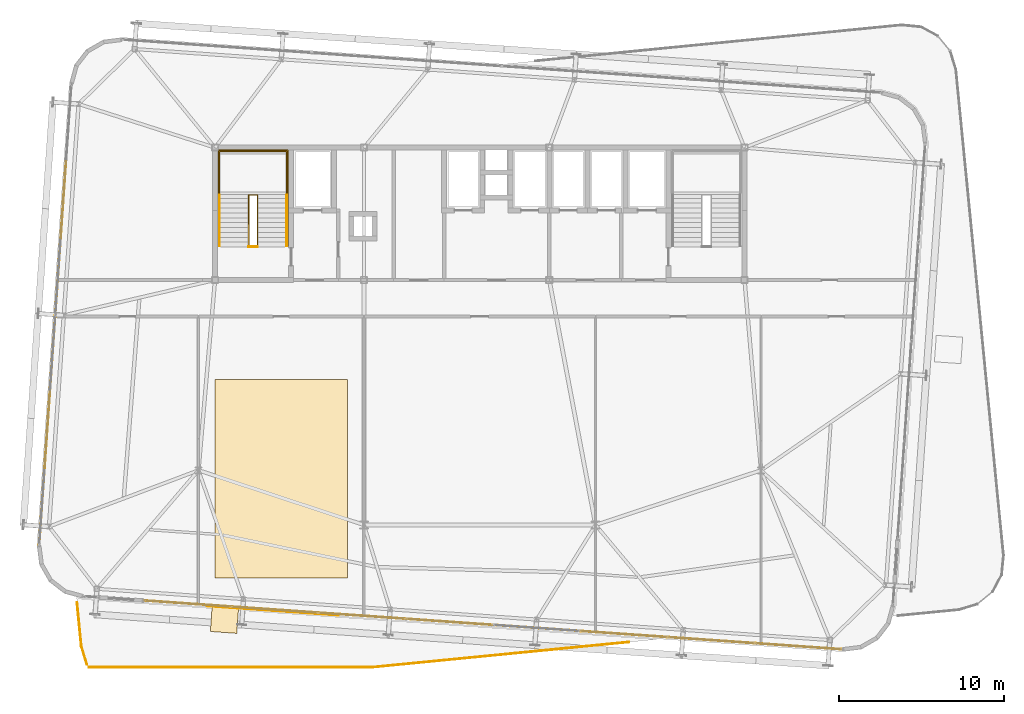
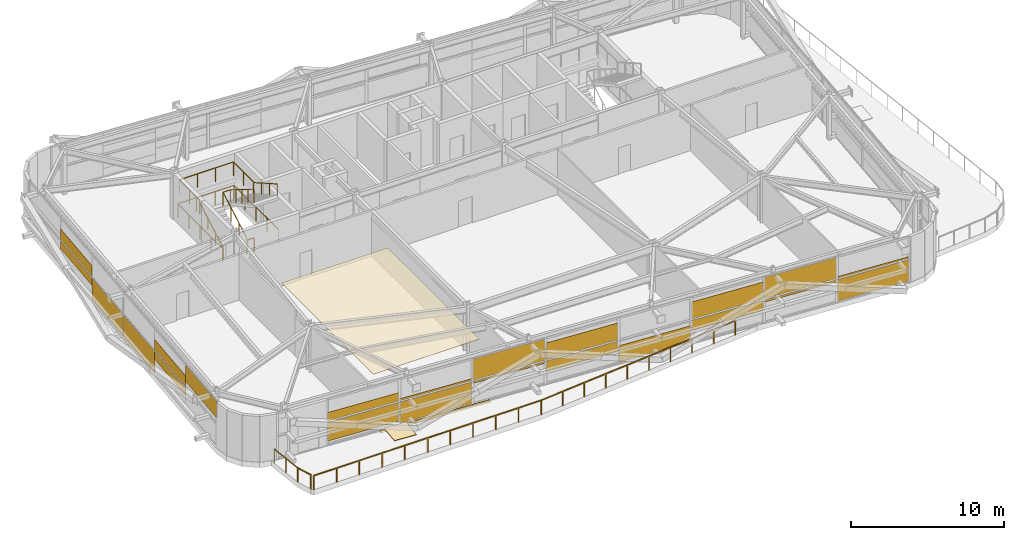
# One storey, part 34 of 36: 25 coverings, 10 railings.
"""IFC4 building model written with IfcOpenShell, lengths in metres."""

from ifc_helpers import new_model, si_unit, direction, frame, origin, origin_2d, place, context, subcontext, project, spatial, rectangle, extrude, source, transform, mapped, material, layer, layer_set, type_object, element, save


model = new_model("IFC4")

# Units and contexts
model_context = context("Model", 3, precision=1e-05, world=origin(), true_north=direction((0.0, 1.0)))
body_context = subcontext(model_context, "Body", "Model", "MODEL_VIEW")
ifc_project = project(units=[si_unit("LENGTHUNIT", "METRE"), si_unit("AREAUNIT", "SQUARE_METRE"), si_unit("VOLUMEUNIT", "CUBIC_METRE"), si_unit("PLANEANGLEUNIT", "RADIAN"), si_unit("MASSUNIT", "GRAM", prefix="KILO")], contexts=[model_context])

# Site, building, storey
site_placement = place(None, origin())
site = spatial("IfcSite", under=ifc_project, at=site_placement, CompositionType="ELEMENT")
building_placement = place(site_placement, origin())
building = spatial("IfcBuilding", under=site, at=building_placement, Name="Taldren Reach Tower", CompositionType="ELEMENT")
storey_placement = place(building_placement, frame((0.0, 0.0, 116.550048828125)))
storey = spatial("IfcBuildingStorey", under=building, at=storey_placement, Name="L35", CompositionType="ELEMENT", Elevation=116.550048828125)

# Railings
ifc_material_1 = material(Name="Steel Gr 350 (C350L0)", Category="steel")
ifc_layer_1 = layer(ifc_material_1, 0.050048828125)
ifc_layer_set_1 = layer_set([ifc_layer_1], Name="Steel Gr 350 (C350L0)")
railing_type_1 = type_object("IfcRailingType", Name="RL-STAIR-GR", PredefinedType="GUARDRAIL", material=ifc_layer_set_1)
railing_1_placement = place(storey_placement, frame((19.260009765625, 29.135009765625, 1.925048828125)))
element("IfcRailing", 1, at=railing_1_placement, inside=storey, type_object=railing_type_1, Name="Stair half-landing perimeter guard ST1-L35", PredefinedType="GUARDRAIL", context=body_context, shape_type="SweptSolid", body=[
    extrude(rectangle(XDim=0.047852, YDim=0.047852, at=origin_2d()), frame((0.0, 0.0, 1.09619140625), z_axis=(0.0, 1.0, 0.0), x_axis=(-1.0, 0.0, 0.0)), (0.0, 0.0, 1.0), 2.64501953125),
    extrude(rectangle(XDim=0.047852, YDim=0.047852, at=origin_2d()), frame((0.0, 2.64501953125, 1.09619140625), z_axis=(1.0, 0.0, 0.0), x_axis=(0.0, 1.0, 0.0)), (0.0, 0.0, 1.0), 4.080078125),
    extrude(rectangle(XDim=0.047852, YDim=0.047852, at=origin_2d()), frame((4.080078125, 2.64501953125, 1.09619140625), z_axis=(0.0, -1.0, 0.0), x_axis=(1.0, 0.0, 0.0)), (0.0, 0.0, 1.0), 2.64501953125),
    extrude(rectangle(XDim=0.041992, YDim=0.041992, at=origin_2d()), origin(), (0.0, 0.0, 1.0), 1.072021484375),
    extrude(rectangle(XDim=0.041992, YDim=0.041992, at=origin_2d()), frame((0.0, 1.322509765625, 0.0)), (0.0, 0.0, 1.0), 1.072021484375),
    extrude(rectangle(XDim=0.041992, YDim=0.041992, at=origin_2d()), frame((0.0, 2.64501953125, 0.0)), (0.0, 0.0, 1.0), 1.072021484375),
    extrude(rectangle(XDim=0.041992, YDim=0.041992, at=origin_2d()), frame((1.360107421875, 2.64501953125, 0.0)), (0.0, 0.0, 1.0), 1.072021484375),
    extrude(rectangle(XDim=0.041992, YDim=0.041992, at=origin_2d()), frame((2.719970703125, 2.64501953125, 0.0)), (0.0, 0.0, 1.0), 1.072021484375),
    extrude(rectangle(XDim=0.041992, YDim=0.041992, at=origin_2d()), frame((4.080078125, 2.64501953125, 0.0)), (0.0, 0.0, 1.0), 1.072021484375),
    extrude(rectangle(XDim=0.041992, YDim=0.041992, at=origin_2d()), frame((4.080078125, 1.322509765625, 0.0)), (0.0, 0.0, 1.0), 1.072021484375),
    extrude(rectangle(XDim=0.041992, YDim=0.041992, at=origin_2d()), frame((4.080078125, 0.0, 0.0)), (0.0, 0.0, 1.0), 1.072021484375),
])
railing_2_placement = place(storey_placement, frame((21.030029296875, 26.050048828125, 0.160400390625)))
element("IfcRailing", 2, at=railing_2_placement, inside=storey, type_object=railing_type_1, Name="Stairwell inner guard ST1-L35", PredefinedType="GUARDRAIL", context=body_context, shape_type="SweptSolid", body=[
    extrude(rectangle(XDim=0.047852, YDim=0.047852, at=origin_2d()), frame((0.0, 0.0, 1.09619140625), z_axis=(0.0, 0.868023234622, 0.496523578652), x_axis=(-1.0, 0.0, 0.0)), (0.0, 0.0, 1.0), 3.553955078125),
    extrude(rectangle(XDim=0.047852, YDim=0.047852, at=origin_2d()), frame((0.0, 3.0849609375, 2.86083984375), z_axis=(1.0, 0.0, 0.0), x_axis=(0.0, 1.0, 0.0)), (0.0, 0.0, 1.0), 0.5400390625),
    extrude(rectangle(XDim=0.047852, YDim=0.047852, at=origin_2d()), frame((0.5400390625, 3.0849609375, 2.86083984375), z_axis=(0.0, -0.848405431508, 0.529346978633), x_axis=(1.0, 0.0, 0.0)), (0.0, 0.0, 1.0), 3.63623046875),
    extrude(rectangle(XDim=0.041992, YDim=0.041992, at=origin_2d()), origin(), (0.0, 0.0, 1.0), 1.072021484375),
    extrude(rectangle(XDim=0.041992, YDim=0.041992, at=origin_2d()), frame((0.0, 1.0283203125, 0.588134765625)), (0.0, 0.0, 1.0), 1.072021484375),
    extrude(rectangle(XDim=0.041992, YDim=0.041992, at=origin_2d()), frame((0.0, 2.056640625, 1.176513671875)), (0.0, 0.0, 1.0), 1.072021484375),
    extrude(rectangle(XDim=0.041992, YDim=0.041992, at=origin_2d()), frame((0.0, 3.0849609375, 1.7646484375)), (0.0, 0.0, 1.0), 1.072021484375),
    extrude(rectangle(XDim=0.041992, YDim=0.041992, at=origin_2d()), frame((0.5400390625, 3.0849609375, 1.7646484375)), (0.0, 0.0, 1.0), 1.072021484375),
    extrude(rectangle(XDim=0.041992, YDim=0.041992, at=origin_2d()), frame((0.5400390625, 2.313720703125, 2.245849609375)), (0.0, 0.0, 1.0), 1.072021484375),
    extrude(rectangle(XDim=0.041992, YDim=0.041992, at=origin_2d()), frame((0.5400390625, 1.54248046875, 2.72705078125)), (0.0, 0.0, 1.0), 1.072021484375),
    extrude(rectangle(XDim=0.041992, YDim=0.041992, at=origin_2d()), frame((0.5400390625, 0.771240234375, 3.208251953125)), (0.0, 0.0, 1.0), 1.072021484375),
    extrude(rectangle(XDim=0.041992, YDim=0.041992, at=origin_2d()), frame((0.5400390625, 0.0, 3.689453125)), (0.0, 0.0, 1.0), 1.072021484375),
])
railing_3_placement = place(storey_placement, frame((21.030029296875, 26.010009765625, 0.0)))
element("IfcRailing", 3, at=railing_3_placement, inside=storey, type_object=railing_type_1, Name="Stairwell landing slot guard ST1-L35", PredefinedType="GUARDRAIL", context=body_context, shape_type="SweptSolid", body=[
    extrude(rectangle(XDim=0.047852, YDim=0.047852, at=origin_2d()), frame((0.0, 0.0, 1.09619140625), z_axis=(1.0, 0.0, 0.0), x_axis=(0.0, 1.0, 0.0)), (0.0, 0.0, 1.0), 0.5400390625),
    extrude(rectangle(XDim=0.041992, YDim=0.041992, at=origin_2d()), origin(), (0.0, 0.0, 1.0), 1.072021484375),
    extrude(rectangle(XDim=0.041992, YDim=0.041992, at=origin_2d()), frame((0.5400390625, 0.0, 0.0)), (0.0, 0.0, 1.0), 1.072021484375),
])
railing_4_placement = place(storey_placement, frame((19.18994140625, 26.050048828125, 0.0)))
element("IfcRailing", 4, at=railing_4_placement, inside=storey, type_object=railing_type_1, Name="Stairwell floor opening guard ST1-L35", PredefinedType="GUARDRAIL", context=body_context, shape_type="SweptSolid", body=[
    extrude(rectangle(XDim=0.047852, YDim=0.047852, at=origin_2d()), frame((0.0, 0.0, 1.09619140625), z_axis=(0.0, 1.0, 0.0), x_axis=(-1.0, 0.0, 0.0)), (0.0, 0.0, 1.0), 5.800048828125),
    extrude(rectangle(XDim=0.047852, YDim=0.047852, at=origin_2d()), frame((0.0, 5.800048828125, 1.09619140625), z_axis=(1.0, 0.0, 0.0), x_axis=(0.0, 1.0, 0.0)), (0.0, 0.0, 1.0), 4.219970703125),
    extrude(rectangle(XDim=0.047852, YDim=0.047852, at=origin_2d()), frame((4.219970703125, 5.800048828125, 1.09619140625), z_axis=(0.0, -1.0, 0.0), x_axis=(1.0, 0.0, 0.0)), (0.0, 0.0, 1.0), 5.800048828125),
    extrude(rectangle(XDim=0.041992, YDim=0.041992, at=origin_2d()), origin(), (0.0, 0.0, 1.0), 1.072021484375),
    extrude(rectangle(XDim=0.041992, YDim=0.041992, at=origin_2d()), frame((0.0, 1.449951171875, 0.0)), (0.0, 0.0, 1.0), 1.072021484375),
    extrude(rectangle(XDim=0.041992, YDim=0.041992, at=origin_2d()), frame((0.0, 2.89990234375, 0.0)), (0.0, 0.0, 1.0), 1.072021484375),
    extrude(rectangle(XDim=0.041992, YDim=0.041992, at=origin_2d()), frame((0.0, 4.35009765625, 0.0)), (0.0, 0.0, 1.0), 1.072021484375),
    extrude(rectangle(XDim=0.041992, YDim=0.041992, at=origin_2d()), frame((0.0, 5.800048828125, 0.0)), (0.0, 0.0, 1.0), 1.072021484375),
    extrude(rectangle(XDim=0.041992, YDim=0.041992, at=origin_2d()), frame((1.40673828125, 5.800048828125, 0.0)), (0.0, 0.0, 1.0), 1.072021484375),
    extrude(rectangle(XDim=0.041992, YDim=0.041992, at=origin_2d()), frame((2.813232421875, 5.800048828125, 0.0)), (0.0, 0.0, 1.0), 1.072021484375),
    extrude(rectangle(XDim=0.041992, YDim=0.041992, at=origin_2d()), frame((4.219970703125, 5.800048828125, 0.0)), (0.0, 0.0, 1.0), 1.072021484375),
    extrude(rectangle(XDim=0.041992, YDim=0.041992, at=origin_2d()), frame((4.219970703125, 4.35009765625, 0.0)), (0.0, 0.0, 1.0), 1.072021484375),
    extrude(rectangle(XDim=0.041992, YDim=0.041992, at=origin_2d()), frame((4.219970703125, 2.89990234375, 0.0)), (0.0, 0.0, 1.0), 1.072021484375),
    extrude(rectangle(XDim=0.041992, YDim=0.041992, at=origin_2d()), frame((4.219970703125, 1.449951171875, 0.0)), (0.0, 0.0, 1.0), 1.072021484375),
    extrude(rectangle(XDim=0.041992, YDim=0.041992, at=origin_2d()), frame((4.219970703125, 0.0, 0.0)), (0.0, 0.0, 1.0), 1.072021484375),
])
ifc_material_2 = material(Name="Stainless Steel Gr 316", Category="steel")
ifc_layer_2 = layer(ifc_material_2, 0.048095703125)
ifc_layer_set_2 = layer_set([ifc_layer_2], Name="Stainless Steel Gr 316")
railing_type_2 = type_object("IfcRailingType", Name="RL-STAIR-HR", PredefinedType="HANDRAIL", material=ifc_layer_set_2)
railing_5_placement = place(storey_placement, frame((19.27001953125, 26.050048828125, 0.160400390625)))
element("IfcRailing", 5, at=railing_5_placement, inside=storey, type_object=railing_type_2, Name="Stair flight handrail ST1-L35-1", PredefinedType="HANDRAIL", context=body_context, shape_type="SweptSolid", body=[
    extrude(rectangle(XDim=0.047852, YDim=0.047852, at=origin_2d()), frame((0.0, 0.0, 0.89599609375), z_axis=(0.0, 0.868023234622, 0.496523578652), x_axis=(-1.0, 0.0, 0.0)), (0.0, 0.0, 1.0), 3.553955078125),
    extrude(rectangle(XDim=0.041992, YDim=0.041992, at=origin_2d()), origin(), (0.0, 0.0, 1.0), 0.871826171875),
    extrude(rectangle(XDim=0.041992, YDim=0.041992, at=origin_2d()), frame((0.0, 1.0283203125, 0.588134765625)), (0.0, 0.0, 1.0), 0.871826171875),
    extrude(rectangle(XDim=0.041992, YDim=0.041992, at=origin_2d()), frame((0.0, 2.056640625, 1.176513671875)), (0.0, 0.0, 1.0), 0.871826171875),
    extrude(rectangle(XDim=0.041992, YDim=0.041992, at=origin_2d()), frame((0.0, 3.0849609375, 1.7646484375)), (0.0, 0.0, 1.0), 0.871826171875),
])
railing_6_placement = place(storey_placement, frame((23.330078125, 29.135009765625, 2.08544921875)))
element("IfcRailing", 6, at=railing_6_placement, inside=storey, type_object=railing_type_2, Name="Stair flight handrail ST1-L35-2", PredefinedType="HANDRAIL", context=body_context, shape_type="SweptSolid", body=[
    extrude(rectangle(XDim=0.047852, YDim=0.047852, at=origin_2d()), frame((0.0, 0.0, 0.89599609375), z_axis=(0.0, -0.86805284099, 0.496471817176), x_axis=(1.0, 0.0, 0.0)), (0.0, 0.0, 1.0), 3.553955078125),
    extrude(rectangle(XDim=0.041992, YDim=0.041992, at=origin_2d()), origin(), (0.0, 0.0, 1.0), 0.871826171875),
    extrude(rectangle(XDim=0.041992, YDim=0.041992, at=origin_2d()), frame((0.0, -1.0283203125, 0.588134765625)), (0.0, 0.0, 1.0), 0.871826171875),
    extrude(rectangle(XDim=0.041992, YDim=0.041992, at=origin_2d()), frame((0.0, -2.056640625, 1.17626953125)), (0.0, 0.0, 1.0), 0.871826171875),
    extrude(rectangle(XDim=0.041992, YDim=0.041992, at=origin_2d()), frame((0.0, -3.0849609375, 1.764404296875)), (0.0, 0.0, 1.0), 0.871826171875),
])
ifc_material_3 = material(Name="Laminated Glass and Pale-Anodised Aluminium Balustrade", Category="aluminium")
ifc_layer_3 = layer(ifc_material_3, 0.070068359375)
ifc_layer_set_3 = layer_set([ifc_layer_3], Name="Laminated Glass and Pale-Anodised Aluminium Balustrade")
railing_type_3 = type_object("IfcRailingType", Name="RL-TERR-1150", PredefinedType="GUARDRAIL", material=ifc_layer_set_3)
railing_7_placement = place(storey_placement, frame((11.26220703125, 0.767822265625, 0.0)))
element("IfcRailing", 7, at=railing_7_placement, inside=storey, type_object=railing_type_3, Name="Outdoor terrace guardrail TERR-L35-2-01", PredefinedType="GUARDRAIL", context=body_context, shape_type="SweptSolid", body=[
    extrude(rectangle(XDim=0.047852, YDim=0.047852, at=origin_2d()), frame((0.0, 0.0, 1.1259765625), z_axis=(-0.289700580579, 0.957117324894, 0.0), x_axis=(-0.957117324894, -0.289700580579, 0.0)), (0.0, 0.0, 1.0), 1.170654296875),
    extrude(rectangle(XDim=0.041992, YDim=0.041992, at=origin_2d()), origin(), (0.0, 0.0, 1.0), 1.101806640625),
    extrude(rectangle(XDim=0.041992, YDim=0.041992, at=origin_2d()), frame((-0.339111328125, 1.120361328125, 0.0)), (0.0, 0.0, 1.0), 1.101806640625),
])
railing_8_placement = place(storey_placement, frame((10.923095703125, 1.88818359375, 0.0)))
element("IfcRailing", 8, at=railing_8_placement, inside=storey, type_object=railing_type_3, Name="Outdoor terrace guardrail TERR-L35-2-02", PredefinedType="GUARDRAIL", context=body_context, shape_type="SweptSolid", body=[
    extrude(rectangle(XDim=0.047852, YDim=0.047852, at=origin_2d()), frame((0.0, 0.0, 1.1259765625), z_axis=(-0.097650594044, 0.995220760175, 0.0), x_axis=(-0.995220760175, -0.097650594044, 0.0)), (0.0, 0.0, 1.0), 2.63525390625),
    extrude(rectangle(XDim=0.041992, YDim=0.041992, at=origin_2d()), origin(), (0.0, 0.0, 1.0), 1.101806640625),
    extrude(rectangle(XDim=0.041992, YDim=0.041992, at=origin_2d()), frame((-0.128662109375, 1.311279296875, 0.0)), (0.0, 0.0, 1.0), 1.101806640625),
    extrude(rectangle(XDim=0.041992, YDim=0.041992, at=origin_2d()), frame((-0.25732421875, 2.62255859375, 0.0)), (0.0, 0.0, 1.0), 1.101806640625),
])
railing_9_placement = place(storey_placement, frame((44.011474609375, 2.117919921875, 0.0)))
element("IfcRailing", 9, at=railing_9_placement, inside=storey, type_object=railing_type_3, Name="Outdoor terrace guardrail TERR-L35-2-03", PredefinedType="GUARDRAIL", context=body_context, shape_type="SweptSolid", body=[
    extrude(rectangle(XDim=0.047852, YDim=0.047852, at=origin_2d()), frame((0.0, 0.0, 1.1259765625), z_axis=(-0.995228764171, -0.097568985679, 0.0), x_axis=(0.097568985679, -0.995228764171, 0.0)), (0.0, 0.0, 1.0), 15.556396484375),
    extrude(rectangle(XDim=0.041992, YDim=0.041992, at=origin_2d()), origin(), (0.0, 0.0, 1.0), 1.101806640625),
    extrude(rectangle(XDim=0.041992, YDim=0.041992, at=origin_2d()), frame((-1.72021484375, -0.168701171875, 0.0)), (0.0, 0.0, 1.0), 1.101806640625),
    extrude(rectangle(XDim=0.041992, YDim=0.041992, at=origin_2d()), frame((-3.4404296875, -0.33740234375, 0.0)), (0.0, 0.0, 1.0), 1.101806640625),
    extrude(rectangle(XDim=0.041992, YDim=0.041992, at=origin_2d()), frame((-5.16064453125, -0.505859375, 0.0)), (0.0, 0.0, 1.0), 1.101806640625),
    extrude(rectangle(XDim=0.041992, YDim=0.041992, at=origin_2d()), frame((-6.880859375, -0.674560546875, 0.0)), (0.0, 0.0, 1.0), 1.101806640625),
    extrude(rectangle(XDim=0.041992, YDim=0.041992, at=origin_2d()), frame((-8.601318359375, -0.84326171875, 0.0)), (0.0, 0.0, 1.0), 1.101806640625),
    extrude(rectangle(XDim=0.041992, YDim=0.041992, at=origin_2d()), frame((-10.321533203125, -1.011962890625, 0.0)), (0.0, 0.0, 1.0), 1.101806640625),
    extrude(rectangle(XDim=0.041992, YDim=0.041992, at=origin_2d()), frame((-12.041748046875, -1.180419921875, 0.0)), (0.0, 0.0, 1.0), 1.101806640625),
    extrude(rectangle(XDim=0.041992, YDim=0.041992, at=origin_2d()), frame((-13.761962890625, -1.34912109375, 0.0)), (0.0, 0.0, 1.0), 1.101806640625),
    extrude(rectangle(XDim=0.041992, YDim=0.041992, at=origin_2d()), frame((-15.482177734375, -1.517822265625, 0.0)), (0.0, 0.0, 1.0), 1.101806640625),
])
railing_10_placement = place(storey_placement, frame((28.529296875, 0.60009765625, 0.0)))
element("IfcRailing", 10, at=railing_10_placement, inside=storey, type_object=railing_type_3, Name="Outdoor terrace guardrail TERR-L35-2-04", PredefinedType="GUARDRAIL", context=body_context, shape_type="SweptSolid", body=[
    extrude(rectangle(XDim=0.047852, YDim=0.047852, at=origin_2d()), frame((0.0, 0.0, 1.1259765625), z_axis=(-1.0, 0.0, 0.0), x_axis=(0.0, -1.0, 0.0)), (0.0, 0.0, 1.0), 17.12939453125),
    extrude(rectangle(XDim=0.041992, YDim=0.041992, at=origin_2d()), origin(), (0.0, 0.0, 1.0), 1.101806640625),
    extrude(rectangle(XDim=0.041992, YDim=0.041992, at=origin_2d()), frame((-1.712890625, 0.0, 0.0)), (0.0, 0.0, 1.0), 1.101806640625),
    extrude(rectangle(XDim=0.041992, YDim=0.041992, at=origin_2d()), frame((-3.42578125, 0.0, 0.0)), (0.0, 0.0, 1.0), 1.101806640625),
    extrude(rectangle(XDim=0.041992, YDim=0.041992, at=origin_2d()), frame((-5.138916015625, 0.0, 0.0)), (0.0, 0.0, 1.0), 1.101806640625),
    extrude(rectangle(XDim=0.041992, YDim=0.041992, at=origin_2d()), frame((-6.851806640625, 0.0, 0.0)), (0.0, 0.0, 1.0), 1.101806640625),
    extrude(rectangle(XDim=0.041992, YDim=0.041992, at=origin_2d()), frame((-8.564697265625, 0.0, 0.0)), (0.0, 0.0, 1.0), 1.101806640625),
    extrude(rectangle(XDim=0.041992, YDim=0.041992, at=origin_2d()), frame((-10.277587890625, 0.0, 0.0)), (0.0, 0.0, 1.0), 1.101806640625),
    extrude(rectangle(XDim=0.041992, YDim=0.041992, at=origin_2d()), frame((-11.990478515625, 0.0, 0.0)), (0.0, 0.0, 1.0), 1.101806640625),
    extrude(rectangle(XDim=0.041992, YDim=0.041992, at=origin_2d()), frame((-13.70361328125, 0.0, 0.0)), (0.0, 0.0, 1.0), 1.101806640625),
    extrude(rectangle(XDim=0.041992, YDim=0.041992, at=origin_2d()), frame((-15.41650390625, 0.0, 0.0)), (0.0, 0.0, 1.0), 1.101806640625),
    extrude(rectangle(XDim=0.041992, YDim=0.041992, at=origin_2d()), frame((-17.12939453125, 0.0, 0.0)), (0.0, 0.0, 1.0), 1.101806640625),
])

# Coverings
ifc_material_4 = material(Name="Pale Champagne Fluoropolymer Aluminium Spandrel Cladding", Category="aluminium")
ifc_layer_4 = layer(ifc_material_4, 0.06005859375)
ifc_layer_set_4 = layer_set([ifc_layer_4], Name="Pale Champagne Fluoropolymer Aluminium Spandrel Cladding")
covering_type_1 = type_object("IfcCoveringType", Name="CV-CLAD-060", PredefinedType="CLADDING", material=ifc_layer_set_4)
shared_shape_1 = source(origin(), body_context, "Body", "SweptSolid", [
    extrude(rectangle(XDim=8.0, YDim=0.06005859375, at=origin_2d()), origin(), (0.0, 0.0, 1.0), 0.219970703125),
])
covering_1_placement = place(storey_placement, frame((22.497802734375, 4.0234375, -0.22021484375), z_axis=(0.0, 0.0, 1.0), x_axis=(0.99756405026, -0.069756473744, 0.0)))
element("IfcCovering", 11, at=covering_1_placement, inside=storey, type_object=covering_type_1, Name="Pale-metal architectural fascia band L35", PredefinedType="CLADDING", context=body_context, shape_type="MappedRepresentation", body=[
    mapped(shared_shape_1, transform((0.0, 0.0, 0.0), scale=1.0)),
])
ifc_material_5 = material(Name="SBS Modified Bitumen Waterproofing and Ballast Membrane")
ifc_layer_5 = layer(ifc_material_5, 0.080078125)
ifc_layer_set_5 = layer_set([ifc_layer_5], Name="SBS Modified Bitumen Waterproofing and Ballast Membrane")
covering_type_2 = type_object("IfcCoveringType", Name="CV-ROOF-080", PredefinedType="ROOFING", material=ifc_layer_set_5)
shared_shape_2 = source(origin(), body_context, "Body", "SweptSolid", [
    extrude(rectangle(XDim=1.60009765625, YDim=1.60009765625, at=origin_2d()), origin(), (0.0, 0.0, 1.0), 0.0400390625),
])
covering_2_placement = place(storey_placement, frame((19.572509765625, 3.501708984375, 0.0), z_axis=(0.0, 0.0, 1.0), x_axis=(0.99756405026, -0.069756473744, 0.0)))
element("IfcCovering", 12, at=covering_2_placement, inside=storey, type_object=covering_type_2, Name="Terrace waterproofing layer L35-2", PredefinedType="ROOFING", context=body_context, shape_type="MappedRepresentation", body=[
    mapped(shared_shape_2, transform((0.0, 0.0, 0.0), scale=1.0)),
])
ifc_material_6 = material(Name="Perforated Acoustic Mineral-Fibre Ceiling Tile")
ifc_layer_6 = layer(ifc_material_6, 0.02490234375)
ifc_layer_set_6 = layer_set([ifc_layer_6], Name="Perforated Acoustic Mineral-Fibre Ceiling Tile")
covering_type_3 = type_object("IfcCoveringType", Name="CV-CEIL-025", PredefinedType="CEILING", material=ifc_layer_set_6)
shared_shape_3 = source(origin(), body_context, "Body", "SweptSolid", [
    extrude(rectangle(XDim=8.0, YDim=12.0, at=origin_2d()), origin(), (0.0, 0.0, 1.0), 0.02490234375),
])
covering_3_placement = place(storey_placement, frame((23.0, 12.0, 3.237548828125), z_axis=(0.0, 0.0, 1.0), x_axis=(1.0, 0.0, 0.0)))
element("IfcCovering", 13, at=covering_3_placement, inside=storey, type_object=covering_type_3, Name="Suspended acoustic ceiling L35-09", PredefinedType="CEILING", context=body_context, shape_type="MappedRepresentation", body=[
    mapped(shared_shape_3, transform((0.0, 0.0, 0.0), scale=1.0)),
])
ifc_layer_7 = layer(ifc_material_4, 0.0439453125)
ifc_layer_set_7 = layer_set([ifc_layer_7], Name="Pale Champagne Fluoropolymer Aluminium Spandrel Cladding")
covering_type_4 = type_object("IfcCoveringType", Name="CV-CLAD-044", PredefinedType="CLADDING", material=ifc_layer_set_7)
shared_shape_4 = source(origin(), body_context, "Body", "SweptSolid", [
    extrude(rectangle(XDim=5.18115234375, YDim=0.0439453125, at=origin_2d()), origin(), (0.0, 0.0, 1.0), 1.484619140625),
])
covering_4_placement = place(storey_placement, frame((17.330078125, 4.44482421875, 0.2705078125), z_axis=(0.0, 0.0, 1.0), x_axis=(0.997564045061, -0.069756548088, 0.0)))
element("IfcCovering", 14, at=covering_4_placement, inside=storey, type_object=covering_type_4, Name="Diagrid closure cladding strip CW-7 panel 1.1 1", PredefinedType="CLADDING", context=body_context, shape_type="MappedRepresentation", body=[
    mapped(shared_shape_4, transform((0.0, 0.0, 0.0), scale=1.0)),
])
shared_shape_5 = source(origin(), body_context, "Body", "SweptSolid", [
    extrude(rectangle(XDim=5.21875, YDim=0.0439453125, at=origin_2d()), origin(), (0.0, 0.0, 1.0), 1.695068359375),
])
for number, where, z_axis, x_axis, name in (
    (15, (22.59228515625, 4.076904296875, 0.06005859375), (0.0, 0.0, 1.0), (0.997564045061, -0.069756548088, 0.0), "Diagrid closure cladding strip CW-7 panel 2.1 1"),
    (16, (27.873291015625, 3.707763671875, 1.875), (0.0, 0.0, 1.0), (0.997564045061, -0.069756548088, 0.0), "Diagrid closure cladding strip CW-7 panel 3.1 1"),
    (17, (48.99658203125, 2.23046875, 1.875), (0.0, 0.0, 1.0), (0.997564045061, -0.069756548088, 0.0), "Diagrid closure cladding strip CW-7 panel 7.1 1"),
):
    element("IfcCovering", number, at=place(storey_placement, frame(where, z_axis=z_axis, x_axis=x_axis)), inside=storey, type_object=covering_type_4, Name=name, PredefinedType="CLADDING", context=body_context, shape_type="MappedRepresentation", body=[
        mapped(shared_shape_5, transform((0.0, 0.0, 0.0), scale=1.0)),
    ])
shared_shape_6 = source(origin(), body_context, "Body", "SweptSolid", [
    extrude(rectangle(XDim=5.21875, YDim=0.0439453125, at=origin_2d()), origin(), (0.0, 0.0, 1.0), 0.1376953125),
])
covering_5_placement = place(storey_placement, frame((27.873291015625, 3.707763671875, 1.6171875), z_axis=(0.0, 0.0, 1.0), x_axis=(0.997564045061, -0.069756548088, 0.0)))
element("IfcCovering", 18, at=covering_5_placement, inside=storey, type_object=covering_type_4, Name="Diagrid closure cladding strip CW-7 panel 3.1 1", PredefinedType="CLADDING", context=body_context, shape_type="MappedRepresentation", body=[
    mapped(shared_shape_6, transform((0.0, 0.0, 0.0), scale=1.0)),
])
shared_shape_7 = source(origin(), body_context, "Body", "SweptSolid", [
    extrude(rectangle(XDim=5.21875, YDim=0.0439453125, at=origin_2d()), origin(), (0.0, 0.0, 1.0), 0.822509765625),
])
covering_6_placement = place(storey_placement, frame((33.154052734375, 3.33837890625, 0.9326171875), z_axis=(0.0, 0.0, 1.0), x_axis=(0.997564045061, -0.069756548088, 0.0)))
element("IfcCovering", 19, at=covering_6_placement, inside=storey, type_object=covering_type_4, Name="Diagrid closure cladding strip CW-7 panel 4.1 1", PredefinedType="CLADDING", context=body_context, shape_type="MappedRepresentation", body=[
    mapped(shared_shape_7, transform((0.0, 0.0, 0.0), scale=1.0)),
])
shared_shape_8 = source(origin(), body_context, "Body", "SweptSolid", [
    extrude(rectangle(XDim=5.21875, YDim=0.0439453125, at=origin_2d()), origin(), (0.0, 0.0, 1.0), 1.313232421875),
])
covering_7_placement = place(storey_placement, frame((38.434814453125, 2.96923828125, 0.06005859375), z_axis=(0.0, 0.0, 1.0), x_axis=(0.997564045061, -0.069756548088, 0.0)))
element("IfcCovering", 20, at=covering_7_placement, inside=storey, type_object=covering_type_4, Name="Diagrid closure cladding strip CW-7 panel 5.1 1", PredefinedType="CLADDING", context=body_context, shape_type="MappedRepresentation", body=[
    mapped(shared_shape_8, transform((0.0, 0.0, 0.0), scale=1.0)),
])
shared_shape_9 = source(origin(), body_context, "Body", "SweptSolid", [
    extrude(rectangle(XDim=5.21875, YDim=0.0439453125, at=origin_2d()), origin(), (0.0, 0.0, 1.0), 0.800048828125),
])
covering_8_placement = place(storey_placement, frame((43.7158203125, 2.599853515625, 0.955078125), z_axis=(0.0, 0.0, 1.0), x_axis=(0.997564045061, -0.069756548088, 0.0)))
element("IfcCovering", 21, at=covering_8_placement, inside=storey, type_object=covering_type_4, Name="Diagrid closure cladding strip CW-7 panel 6.1 1", PredefinedType="CLADDING", context=body_context, shape_type="MappedRepresentation", body=[
    mapped(shared_shape_9, transform((0.0, 0.0, 0.0), scale=1.0)),
])
shared_shape_10 = source(origin(), body_context, "Body", "SweptSolid", [
    extrude(rectangle(XDim=5.21875, YDim=0.0439453125, at=origin_2d()), origin(), (0.0, 0.0, 1.0), 0.16015625),
])
covering_9_placement = place(storey_placement, frame((48.99658203125, 2.23046875, 1.5947265625), z_axis=(0.0, 0.0, 1.0), x_axis=(0.997564045061, -0.069756548088, 0.0)))
element("IfcCovering", 22, at=covering_9_placement, inside=storey, type_object=covering_type_4, Name="Diagrid closure cladding strip CW-7 panel 7.1 1", PredefinedType="CLADDING", context=body_context, shape_type="MappedRepresentation", body=[
    mapped(shared_shape_10, transform((0.0, 0.0, 0.0), scale=1.0)),
])
shared_shape_11 = source(origin(), body_context, "Body", "SweptSolid", [
    extrude(rectangle(XDim=5.18115234375, YDim=0.0439453125, at=origin_2d()), origin(), (0.0, 0.0, 1.0), 1.695068359375),
])
covering_10_placement = place(storey_placement, frame((54.2587890625, 1.862548828125, 0.06005859375), z_axis=(0.0, 0.0, 1.0), x_axis=(0.997564045061, -0.069756548088, 0.0)))
element("IfcCovering", 23, at=covering_10_placement, inside=storey, type_object=covering_type_4, Name="Diagrid closure cladding strip CW-7 panel 8.1 1", PredefinedType="CLADDING", context=body_context, shape_type="MappedRepresentation", body=[
    mapped(shared_shape_11, transform((0.0, 0.0, 0.0), scale=1.0)),
])
shared_shape_12 = source(origin(), body_context, "Body", "SweptSolid", [
    extrude(rectangle(XDim=5.18115234375, YDim=0.0439453125, at=origin_2d()), origin(), (0.0, 0.0, 1.0), 0.666259765625),
])
covering_11_placement = place(storey_placement, frame((17.330078125, 4.44482421875, 1.875), z_axis=(0.0, 0.0, 1.0), x_axis=(0.997564045061, -0.069756548088, 0.0)))
element("IfcCovering", 24, at=covering_11_placement, inside=storey, type_object=covering_type_4, Name="Diagrid closure cladding strip CW-7 panel 1.1 1", PredefinedType="CLADDING", context=body_context, shape_type="MappedRepresentation", body=[
    mapped(shared_shape_12, transform((0.0, 0.0, 0.0), scale=1.0)),
])
shared_shape_13 = source(origin(), body_context, "Body", "SweptSolid", [
    extrude(rectangle(XDim=5.21875, YDim=0.0439453125, at=origin_2d()), origin(), (0.0, 0.0, 1.0), 0.16064453125),
])
covering_12_placement = place(storey_placement, frame((22.59228515625, 4.076904296875, 1.875), z_axis=(0.0, 0.0, 1.0), x_axis=(0.997564045061, -0.069756548088, 0.0)))
element("IfcCovering", 25, at=covering_12_placement, inside=storey, type_object=covering_type_4, Name="Diagrid closure cladding strip CW-7 panel 2.1 1", PredefinedType="CLADDING", context=body_context, shape_type="MappedRepresentation", body=[
    mapped(shared_shape_13, transform((0.0, 0.0, 0.0), scale=1.0)),
])
shared_shape_14 = source(origin(), body_context, "Body", "SweptSolid", [
    extrude(rectangle(XDim=5.21875, YDim=0.0439453125, at=origin_2d()), origin(), (0.0, 0.0, 1.0), 1.341796875),
])
covering_13_placement = place(storey_placement, frame((33.154052734375, 3.33837890625, 1.875), z_axis=(0.0, 0.0, 1.0), x_axis=(0.997564045061, -0.069756548088, 0.0)))
element("IfcCovering", 26, at=covering_13_placement, inside=storey, type_object=covering_type_4, Name="Diagrid closure cladding strip CW-7 panel 4.1 1", PredefinedType="CLADDING", context=body_context, shape_type="MappedRepresentation", body=[
    mapped(shared_shape_14, transform((0.0, 0.0, 0.0), scale=1.0)),
])
shared_shape_15 = source(origin(), body_context, "Body", "SweptSolid", [
    extrude(rectangle(XDim=5.21875, YDim=0.0439453125, at=origin_2d()), origin(), (0.0, 0.0, 1.0), 1.3642578125),
])
covering_14_placement = place(storey_placement, frame((43.7158203125, 2.599853515625, 1.875), z_axis=(0.0, 0.0, 1.0), x_axis=(0.997564045061, -0.069756548088, 0.0)))
element("IfcCovering", 27, at=covering_14_placement, inside=storey, type_object=covering_type_4, Name="Diagrid closure cladding strip CW-7 panel 6.1 1", PredefinedType="CLADDING", context=body_context, shape_type="MappedRepresentation", body=[
    mapped(shared_shape_15, transform((0.0, 0.0, 0.0), scale=1.0)),
])
shared_shape_16 = source(origin(), body_context, "Body", "SweptSolid", [
    extrude(rectangle(XDim=5.18115234375, YDim=0.0439453125, at=origin_2d()), origin(), (0.0, 0.0, 1.0), 0.13818359375),
])
covering_15_placement = place(storey_placement, frame((54.2587890625, 1.862548828125, 1.875), z_axis=(0.0, 0.0, 1.0), x_axis=(0.997564045061, -0.069756548088, 0.0)))
element("IfcCovering", 28, at=covering_15_placement, inside=storey, type_object=covering_type_4, Name="Diagrid closure cladding strip CW-7 panel 8.1 1", PredefinedType="CLADDING", context=body_context, shape_type="MappedRepresentation", body=[
    mapped(shared_shape_16, transform((0.0, 0.0, 0.0), scale=1.0)),
])
shared_shape_17 = source(origin(), body_context, "Body", "SweptSolid", [
    extrude(rectangle(XDim=4.629150390625, YDim=0.0439453125, at=origin_2d()), origin(), (0.0, 0.0, 1.0), 0.60986328125),
])
for number, where, z_axis, x_axis, name in (
    (29, (9.840087890625, 28.8681640625, 1.14501953125), (0.0, 0.0, 1.0), (-0.069756437251, -0.997564052812, 0.0), "Diagrid closure cladding strip CW-7 panel 1.1 1"),
    (30, (8.865966796875, 14.939697265625, 1.14501953125), (0.0, 0.0, 1.0), (-0.069756437251, -0.997564052812, 0.0), "Diagrid closure cladding strip CW-7 panel 2.1 2"),
):
    element("IfcCovering", number, at=place(storey_placement, frame(where, z_axis=z_axis, x_axis=x_axis)), inside=storey, type_object=covering_type_4, Name=name, PredefinedType="CLADDING", context=body_context, shape_type="MappedRepresentation", body=[
        mapped(shared_shape_17, transform((0.0, 0.0, 0.0), scale=1.0)),
    ])
shared_shape_18 = source(origin(), body_context, "Body", "SweptSolid", [
    extrude(rectangle(XDim=4.629150390625, YDim=0.0439453125, at=origin_2d()), origin(), (0.0, 0.0, 1.0), 1.695068359375),
])
for number, where, z_axis, x_axis, name in (
    (31, (9.51708984375, 24.250244140625, 0.06005859375), (0.0, 0.0, 1.0), (-0.069756437251, -0.997564052812, 0.0), "Diagrid closure cladding strip CW-7 panel 1.1 2"),
    (32, (9.18896484375, 19.5576171875, 0.06005859375), (0.0, 0.0, 1.0), (-0.069756437251, -0.997564052812, 0.0), "Diagrid closure cladding strip CW-7 panel 2.1 1"),
):
    element("IfcCovering", number, at=place(storey_placement, frame(where, z_axis=z_axis, x_axis=x_axis)), inside=storey, type_object=covering_type_4, Name=name, PredefinedType="CLADDING", context=body_context, shape_type="MappedRepresentation", body=[
        mapped(shared_shape_18, transform((0.0, 0.0, 0.0), scale=1.0)),
    ])
shared_shape_19 = source(origin(), body_context, "Body", "SweptSolid", [
    extrude(rectangle(XDim=4.629150390625, YDim=0.0439453125, at=origin_2d()), origin(), (0.0, 0.0, 1.0), 1.29296875),
])
covering_16_placement = place(storey_placement, frame((8.54296875, 10.32177734375, 2.277099609375), z_axis=(0.0, 0.0, 1.0), x_axis=(-0.069756437251, -0.997564052812, 0.0)))
element("IfcCovering", 33, at=covering_16_placement, inside=storey, type_object=covering_type_4, Name="Diagrid closure cladding strip CW-7 panel 2.1 2", PredefinedType="CLADDING", context=body_context, shape_type="MappedRepresentation", body=[
    mapped(shared_shape_19, transform((0.0, 0.0, 0.0), scale=1.0)),
])
shared_shape_20 = source(origin(), body_context, "Body", "SweptSolid", [
    extrude(rectangle(XDim=4.629150390625, YDim=0.0439453125, at=origin_2d()), origin(), (0.0, 0.0, 1.0), 0.834228515625),
])
for number, where, z_axis, x_axis, name in (
    (34, (9.840087890625, 28.8681640625, 1.875), (0.0, 0.0, 1.0), (-0.069756437251, -0.997564052812, 0.0), "Diagrid closure cladding strip CW-7 panel 1.1 2"),
    (35, (8.865966796875, 14.939697265625, 1.875), (0.0, 0.0, 1.0), (-0.069756437251, -0.997564052812, 0.0), "Diagrid closure cladding strip CW-7 panel 2.1 1"),
):
    element("IfcCovering", number, at=place(storey_placement, frame(where, z_axis=z_axis, x_axis=x_axis)), inside=storey, type_object=covering_type_4, Name=name, PredefinedType="CLADDING", context=body_context, shape_type="MappedRepresentation", body=[
        mapped(shared_shape_20, transform((0.0, 0.0, 0.0), scale=1.0)),
    ])

save(model, "model.ifc")
